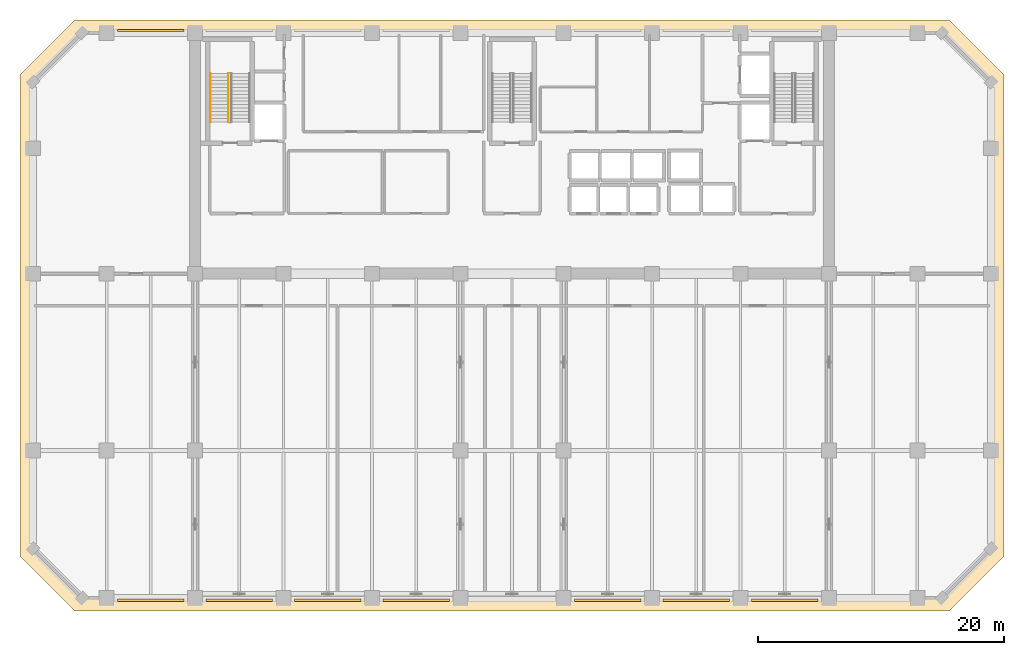
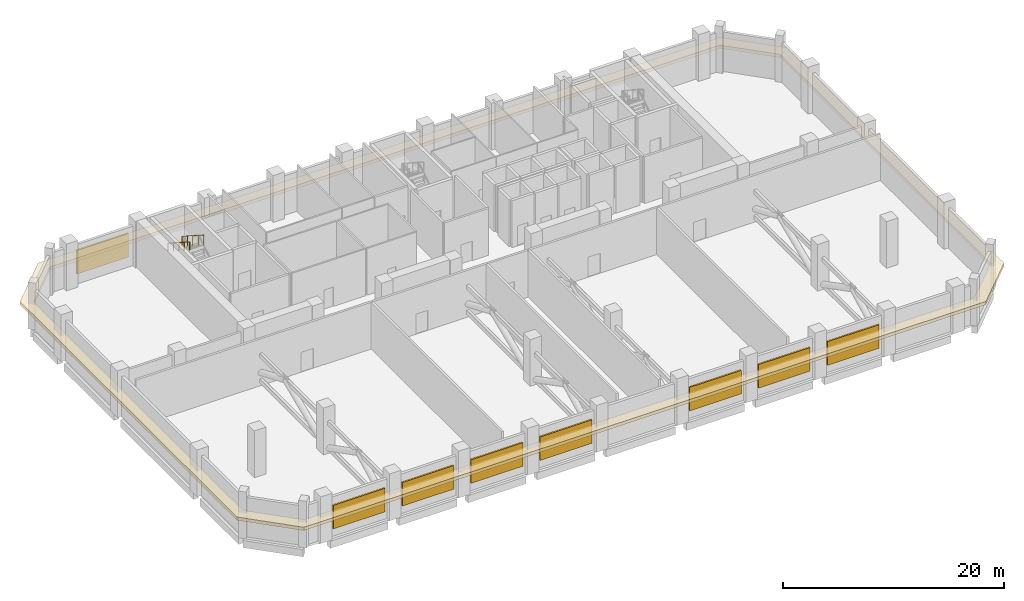
# One storey, part 11 of 13: 8 shading devices, 2 railings, 1 covering.
"""IFC4 building model written with IfcOpenShell, lengths in metres."""

from ifc_helpers import new_model, si_unit, direction, frame, origin, origin_2d, place, context, subcontext, project, spatial, polyline, rectangle, outline, extrude, material, layer, layer_set, type_object, element, save


model = new_model("IFC4")

# Units and contexts
model_context = context("Model", 3, precision=1e-05, world=origin(), true_north=direction((0.0, 1.0)))
body_context = subcontext(model_context, "Body", "Model", "MODEL_VIEW")
ifc_project = project(units=[si_unit("LENGTHUNIT", "METRE"), si_unit("AREAUNIT", "SQUARE_METRE"), si_unit("VOLUMEUNIT", "CUBIC_METRE"), si_unit("PLANEANGLEUNIT", "RADIAN"), si_unit("MASSUNIT", "GRAM", prefix="KILO")], contexts=[model_context])

# Site, building, storey
site_placement = place(None, origin())
site = spatial("IfcSite", under=ifc_project, at=site_placement, CompositionType="ELEMENT")
building_placement = place(site_placement, origin())
building = spatial("IfcBuilding", under=site, at=building_placement, Name="Kaelvorn Grand Hotel", CompositionType="ELEMENT")
storey_placement = place(building_placement, frame((0.0, 0.0, 184.75)))
storey = spatial("IfcBuildingStorey", under=building, at=storey_placement, Name="L45", CompositionType="ELEMENT", Elevation=184.75)

# Covering
ifc_material_1 = material(Name="Precast concrete C45/55", Category="concrete")
ifc_layer = layer(ifc_material_1, 0.260009765625)
ifc_layer_set = layer_set([ifc_layer], Name="Precast concrete C45/55")
covering_type = type_object("IfcCoveringType", Name="COV-BAND-STREAMLINE-HEAD", PredefinedType="CLADDING", material=ifc_layer_set)
covering_placement = place(storey_placement, frame((0.0, 0.0, 2.419921875)))
element("IfcCovering", 1, at=covering_placement, inside=storey, type_object=covering_type, Name="L45 Streamline Moderne Wraparound Horizontal Eyebrow Band", PredefinedType="CLADDING", context=body_context, shape_type="SweptSolid", body=[
    extrude(outline(polyline([(6.389892578125, 1.949951171875), (77.610107421875, 1.949951171875), (82.050048828125, 6.389892578125), (82.050048828125, 45.610107421875), (77.610107421875, 50.050048828125), (6.389892578125, 50.050048828125), (1.949951171875, 45.610107421875), (1.949951171875, 6.389892578125), (6.389892578125, 1.949951171875)]), holes=[polyline([(7.02001953125, 3.030029296875), (76.97998046875, 3.030029296875), (80.969970703125, 7.02001953125), (80.969970703125, 44.97998046875), (76.97998046875, 48.969970703125), (7.02001953125, 48.969970703125), (3.030029296875, 44.97998046875), (3.030029296875, 7.02001953125), (7.02001953125, 3.030029296875)])]), origin(), (0.0, 0.0, 1.0), 0.360107421875),
])

# Railings
ifc_material_2 = material(Name="Stainless Steel", Category="steel")
railing_type_1 = type_object("IfcRailingType", Name="RL-HANDRAIL-900", PredefinedType="HANDRAIL", material=ifc_material_2)
railing_1_placement = place(storey_placement, frame((17.449951171875, 45.679931640625, 2.8798828125)))
element("IfcRailing", 2, at=railing_1_placement, inside=storey, type_object=railing_type_1, Name="L45 ST1 stair handrail 2", PredefinedType="HANDRAIL", context=body_context, shape_type="SweptSolid", body=[
    extrude(rectangle(XDim=0.048095703125, YDim=0.048095703125, at=origin_2d()), frame((0.0, 0.0, 0.8759765625), z_axis=(0.0, -0.841171666519, 0.540768182723), x_axis=(1.0, 0.0, 0.0)), (0.0, 0.0, 1.0), 4.66015625),
    extrude(rectangle(XDim=0.0419921875, YDim=0.0419921875, at=origin_2d()), origin(), (0.0, 0.0, 1.0), 0.851806640625),
    extrude(rectangle(XDim=0.0419921875, YDim=0.0419921875, at=origin_2d()), frame((0.0, -0.97998046875, 0.6298828125)), (0.0, 0.0, 1.0), 0.851806640625),
    extrude(rectangle(XDim=0.0419921875, YDim=0.0419921875, at=origin_2d()), frame((0.0, -1.9599609375, 1.260009765625)), (0.0, 0.0, 1.0), 0.851806640625),
    extrude(rectangle(XDim=0.0419921875, YDim=0.0419921875, at=origin_2d()), frame((0.0, -2.93994140625, 1.89013671875)), (0.0, 0.0, 1.0), 0.851806640625),
    extrude(rectangle(XDim=0.0419921875, YDim=0.0419921875, at=origin_2d()), frame((0.0, -3.919921875, 2.52001953125)), (0.0, 0.0, 1.0), 0.851806640625),
])
railing_type_2 = type_object("IfcRailingType", Name="RL-STAIR-GUARD-1150", PredefinedType="BALUSTRADE", material=ifc_material_2)
railing_2_placement = place(storey_placement, frame((18.909912109375, 45.679931640625, 2.8798828125)))
element("IfcRailing", 3, at=railing_2_placement, inside=storey, type_object=railing_type_2, Name="L45 ST1 stair guard 3", PredefinedType="BALUSTRADE", context=body_context, shape_type="SweptSolid", body=[
    extrude(rectangle(XDim=0.048095703125, YDim=0.048095703125, at=origin_2d()), frame((0.0, 0.0, 1.1259765625), z_axis=(0.0, -0.841171666519, 0.540768182723), x_axis=(1.0, 0.0, 0.0)), (0.0, 0.0, 1.0), 4.66015625),
    extrude(rectangle(XDim=0.0419921875, YDim=0.0419921875, at=origin_2d()), origin(), (0.0, 0.0, 1.0), 1.101806640625),
    extrude(rectangle(XDim=0.0419921875, YDim=0.0419921875, at=origin_2d()), frame((0.0, -0.97998046875, 0.6298828125)), (0.0, 0.0, 1.0), 1.101806640625),
    extrude(rectangle(XDim=0.0419921875, YDim=0.0419921875, at=origin_2d()), frame((0.0, -1.9599609375, 1.260009765625)), (0.0, 0.0, 1.0), 1.101806640625),
    extrude(rectangle(XDim=0.0419921875, YDim=0.0419921875, at=origin_2d()), frame((0.0, -2.93994140625, 1.89013671875)), (0.0, 0.0, 1.0), 1.101806640625),
    extrude(rectangle(XDim=0.0419921875, YDim=0.0419921875, at=origin_2d()), frame((0.0, -3.919921875, 2.52001953125)), (0.0, 0.0, 1.0), 1.101806640625),
])

# Shading devices
ifc_material_3 = material(Name="Anodised Aluminium", Category="aluminium")
shading_device_type = type_object("IfcShadingDeviceType", Name="SHD-LOUVRE-PLANT", PredefinedType="USERDEFINED", material=ifc_material_3)
for number, where, z_axis, x_axis, name in (
    (4, (12.60009765625, 2.81005859375, 0.89990234375), (0.0, 0.0, 1.0), (1.0, 0.0, 0.0), "L45 Mechanical Plant Aluminium Louvre Screen S1"),
    (5, (12.60009765625, 49.18994140625, 0.89990234375), (0.0, 0.0, 1.0), (1.0, 0.0, 0.0), "L45 Mechanical Plant Aluminium Louvre Screen N1"),
    (6, (19.800048828125, 2.81005859375, 0.89990234375), (0.0, 0.0, 1.0), (1.0, 0.0, 0.0), "L45 Mechanical Plant Aluminium Louvre Screen S2"),
    (7, (27.0, 2.81005859375, 0.89990234375), (0.0, 0.0, 1.0), (1.0, 0.0, 0.0), "L45 Mechanical Plant Aluminium Louvre Screen S3"),
    (8, (34.199951171875, 2.81005859375, 0.89990234375), (0.0, 0.0, 1.0), (1.0, 0.0, 0.0), "L45 Mechanical Plant Aluminium Louvre Screen S4"),
    (9, (49.800048828125, 2.81005859375, 0.89990234375), (0.0, 0.0, 1.0), (1.0, 0.0, 0.0), "L45 Mechanical Plant Aluminium Louvre Screen S5"),
    (10, (57.0, 2.81005859375, 0.89990234375), (0.0, 0.0, 1.0), (1.0, 0.0, 0.0), "L45 Mechanical Plant Aluminium Louvre Screen S6"),
    (11, (64.199951171875, 2.81005859375, 0.89990234375), (0.0, 0.0, 1.0), (1.0, 0.0, 0.0), "L45 Mechanical Plant Aluminium Louvre Screen S7"),
):
    element("IfcShadingDevice", number, at=place(storey_placement, frame(where, z_axis=z_axis, x_axis=x_axis)), inside=storey, type_object=shading_device_type, Name=name, ObjectType="LOUVRE", PredefinedType="USERDEFINED", context=body_context, shape_type="SweptSolid", body=[
        extrude(rectangle(XDim=5.39990234375, YDim=0.179931640625, at=origin_2d()), origin(), (0.0, 0.0, 1.0), 2.60009765625),
    ])

save(model, "model.ifc")
